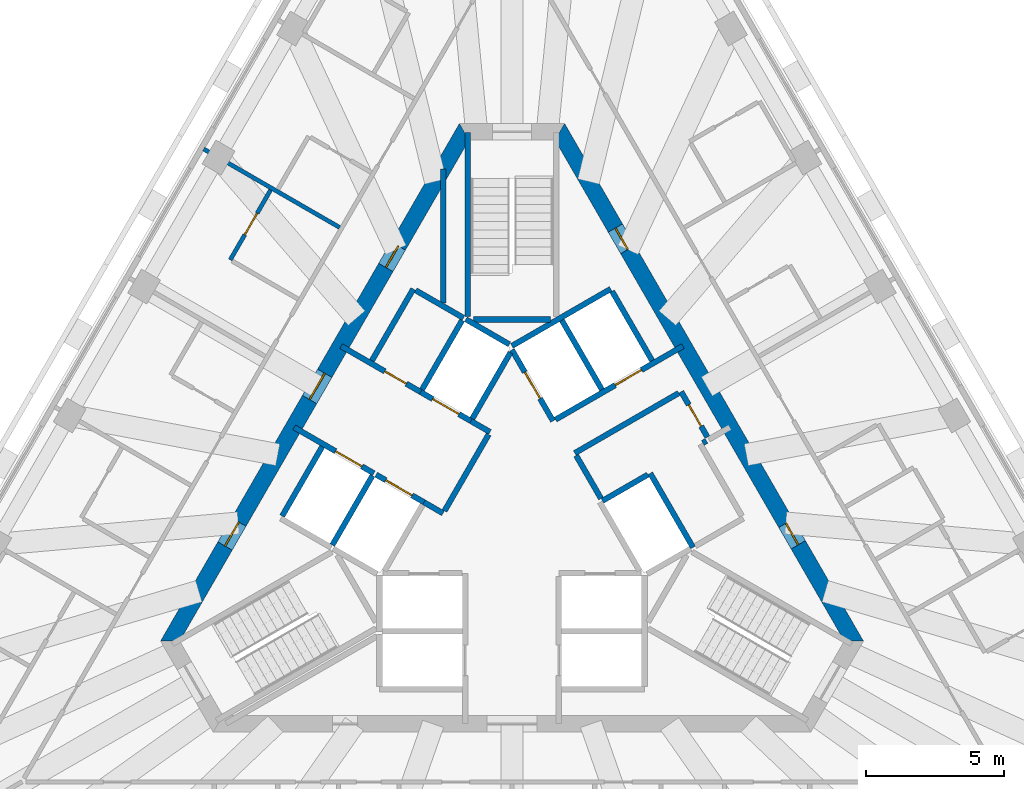
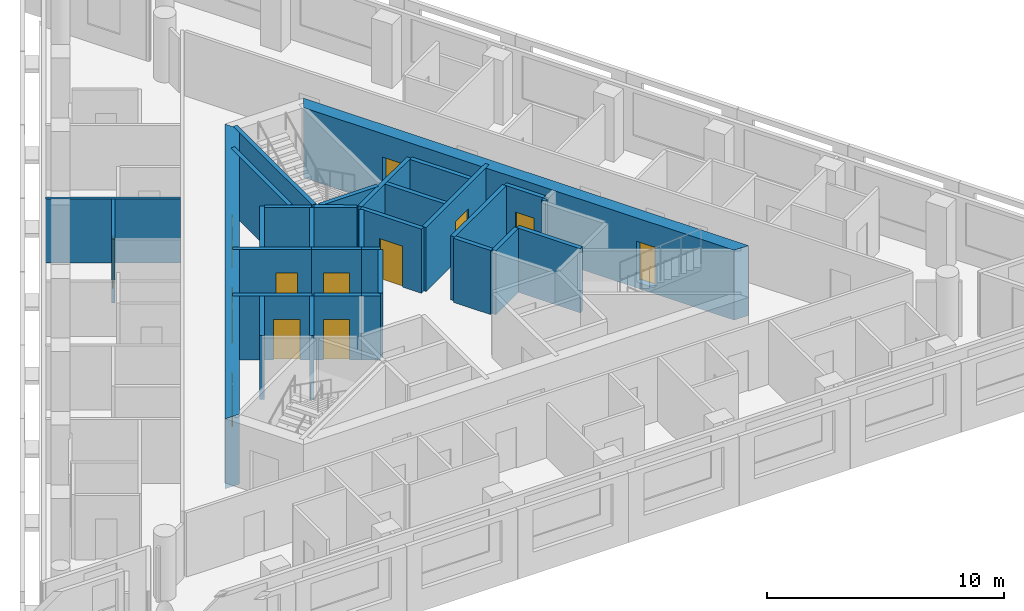
# One storey, part 5 of 10: 32 walls, 13 doors, 13 openings.
"""IFC4 building model written with IfcOpenShell, lengths in metres."""

from ifc_helpers import new_model, si_unit, direction, frame, frame_2d, origin, place, context, subcontext, project, spatial, polyline, rectangle, outline, extrude, material, layer, layer_set, type_object, element, fill, save


model = new_model("IFC4")

# Units and contexts
model_context = context("Model", 3, precision=1e-05, world=origin(), true_north=direction((0.0, 1.0)))
body_context = subcontext(model_context, "Body", "Model", "MODEL_VIEW")
ifc_project = project(units=[si_unit("LENGTHUNIT", "METRE"), si_unit("AREAUNIT", "SQUARE_METRE"), si_unit("VOLUMEUNIT", "CUBIC_METRE"), si_unit("PLANEANGLEUNIT", "RADIAN"), si_unit("MASSUNIT", "GRAM", prefix="KILO")], contexts=[model_context])

# Site, building, storey
site_placement = place(None, origin())
site = spatial("IfcSite", under=ifc_project, at=site_placement, CompositionType="ELEMENT")
building_placement = place(site_placement, origin())
building = spatial("IfcBuilding", under=site, at=building_placement, Name="Triada Interchange Tower", CompositionType="ELEMENT")
storey_placement = place(building_placement, frame((0.0, 0.0, 297.10009765625)))
storey = spatial("IfcBuildingStorey", under=building, at=storey_placement, Name="L70", CompositionType="ELEMENT", Elevation=297.10009765625)

# Walls
ifc_material_1 = material(Name="Concrete C30/37", Category="concrete")
ifc_layer_1 = layer(ifc_material_1, 0.199951171875)
ifc_layer_set_1 = layer_set([ifc_layer_1], Name="CORE WALL 200 EI 120")
wall_type_1 = type_object("IfcWallType", Name="CORE WALL 200 EI 120", PredefinedType="SOLIDWALL", material=ifc_layer_set_1)
wall_1_placement = place(storey_placement, frame((-8.325927734375, -0.6201171875, 0.0), z_axis=(0.0, 0.0, 1.0), x_axis=(0.500023687443, 0.866011727401, 0.0)))
element("IfcWall", 1, at=wall_1_placement, inside=storey, type_object=wall_type_1, Name="Wall L68 67", PredefinedType="SOLIDWALL", context=body_context, shape_type="SweptSolid", body=[
    extrude(rectangle(XDim=2.899658203125, YDim=0.199951171875, at=frame_2d((1.44970703125, 0.0))), origin(), (0.0, 0.0, 1.0), 3.2998046875),
])
wall_2_placement = place(storey_placement, frame((-0.001953125, 5.541015625, 0.0), z_axis=(0.0, 0.0, 1.0), x_axis=(0.86600155993, 0.500041296494, 0.0)))
element("IfcWall", 2, at=wall_2_placement, inside=storey, type_object=wall_type_1, Name="Wall L68 77", PredefinedType="SOLIDWALL", context=body_context, shape_type="SweptSolid", body=[
    extrude(rectangle(XDim=4.131591796875, YDim=0.199951171875, at=frame_2d((2.06591796875, 0.0))), origin(), (0.0, 0.0, 1.0), 3.2998046875),
])

# Wall, opening, door
wall_3_placement = place(storey_placement, frame((0.0, 5.39990234375, 0.0), z_axis=(0.0, 0.0, 1.0), x_axis=(0.500103862429, -0.865965430478, 0.0)))
wall_3 = element("IfcWall", 3, at=wall_3_placement, inside=storey, type_object=wall_type_1, Name="Wall L68 78", PredefinedType="SOLIDWALL", context=body_context, shape_type="SweptSolid", body=[
    extrude(rectangle(XDim=2.973388671875, YDim=0.199951171875, at=frame_2d((1.48681640625, 0.0))), origin(), (0.0, 0.0, 1.0), 3.2998046875),
])
opening_1_placement = place(wall_3_placement, frame((0.93701171875, 0.0, 0.0)))
opening_1 = element("IfcOpeningElement", 4, at=opening_1_placement, cuts=wall_3, Name="Opening LD-HR5", PredefinedType="OPENING", context=body_context, shape_type="SweptSolid", body=[
    extrude(rectangle(XDim=1.10009765625, YDim=2.10009765625, at=frame_2d((0.550048828125, 1.050048828125))), frame((0.0, 0.10986328125, 0.0), z_axis=(0.0, -1.0, 0.0), x_axis=(1.0, 0.0, 0.0)), (0.0, 0.0, 1.0), 0.219970703125),
])
ifc_material_2 = material(Name="Steel S235 door leaf", Category="steel")
door_type_1 = type_object("IfcDoorType", Name="LIFT LANDING DOOR 1100 EI 120", OperationType="SLIDING_TO_LEFT", PredefinedType="DOOR", material=ifc_material_2)
door_1_placement = place(opening_1_placement, origin())
door_1 = element("IfcDoor", 5, at=door_1_placement, inside=storey, type_object=door_type_1, Name="HR5 landing door L70", OperationType="SLIDING_TO_LEFT", OverallHeight=2.10009765625, OverallWidth=1.10009765625, PredefinedType="DOOR", context=body_context, shape_type="SweptSolid", body=[
    extrude(rectangle(XDim=1.10009765625, YDim=2.10009765625, at=frame_2d((0.550048828125, 1.050048828125))), frame((0.0, 0.02490234375, 0.0), z_axis=(0.0, -1.0, 0.0), x_axis=(1.0, 0.0, 0.0)), (0.0, 0.0, 1.0), 0.050048828125),
])
fill(opening_1, door_1)

wall_4_placement = place(storey_placement, frame((1.577880859375, 2.8740234375, 0.0), z_axis=(0.0, 0.0, 1.0), x_axis=(0.866045911672, 0.499964477614, 0.0)))
wall_4 = element("IfcWall", 6, at=wall_4_placement, inside=storey, type_object=wall_type_1, Name="Wall L68 80", PredefinedType="SOLIDWALL", context=body_context, shape_type="SweptSolid", body=[
    extrude(rectangle(XDim=5.32666015625, YDim=0.199951171875, at=frame_2d((2.663330078125, 0.0))), origin(), (0.0, 0.0, 1.0), 3.2998046875),
])
opening_2_placement = place(wall_4_placement, frame((2.49609375, 0.0, 0.0)))
opening_2 = element("IfcOpeningElement", 7, at=opening_2_placement, cuts=wall_4, Name="Opening LD-HR6", PredefinedType="OPENING", context=body_context, shape_type="SweptSolid", body=[
    extrude(rectangle(XDim=1.10009765625, YDim=2.10009765625, at=frame_2d((0.550048828125, 1.050048828125))), frame((0.0, 0.10986328125, 0.0), z_axis=(0.0, -1.0, 0.0), x_axis=(1.0, 0.0, 0.0)), (0.0, 0.0, 1.0), 0.219970703125),
])
door_2_placement = place(opening_2_placement, origin())
door_2 = element("IfcDoor", 8, at=door_2_placement, inside=storey, type_object=door_type_1, Name="HR6 landing door L70", OperationType="SLIDING_TO_LEFT", OverallHeight=2.10009765625, OverallWidth=1.10009765625, PredefinedType="DOOR", context=body_context, shape_type="SweptSolid", body=[
    extrude(rectangle(XDim=1.10009765625, YDim=2.10009765625, at=frame_2d((0.550048828125, 1.050048828125))), frame((0.0, 0.02490234375, 0.0), z_axis=(0.0, -1.0, 0.0), x_axis=(1.0, 0.0, 0.0)), (0.0, 0.0, 1.0), 0.050048828125),
])
fill(opening_2, door_2)

# Walls
for number, where, z_axis, x_axis, name in (
    (9, (3.6259765625, 7.52001953125, 0.0), (0.0, 0.0, 1.0), (0.500060147554, -0.865990674793, 0.0), "Wall L68 83"),
    (10, (1.806884765625, 6.469970703125, 0.0), (0.0, 0.0, 1.0), (0.50012328804, -0.865954211699, 0.0), "Wall L68 84"),
):
    element("IfcWall", number, at=place(storey_placement, frame(where, z_axis=z_axis, x_axis=x_axis)), inside=storey, type_object=wall_type_1, Name=name, PredefinedType="SOLIDWALL", context=body_context, shape_type="SweptSolid", body=[
        extrude(rectangle(XDim=2.899658203125, YDim=0.199951171875, at=frame_2d((1.44970703125, 0.0))), origin(), (0.0, 0.0, 1.0), 3.2998046875),
    ])
wall_5_placement = place(storey_placement, frame((5.007080078125, 0.927978515625, 0.0), z_axis=(0.0, 0.0, 1.0), x_axis=(0.499899694197, -0.866083307622, 0.0)))
element("IfcWall", 11, at=wall_5_placement, inside=storey, type_object=wall_type_1, Name="Wall L68 85", PredefinedType="SOLIDWALL", context=body_context, shape_type="SweptSolid", body=[
    extrude(rectangle(XDim=3.100341796875, YDim=0.199951171875, at=frame_2d((1.55029296875, 0.0))), origin(), (0.0, 0.0, 1.0), 3.2998046875),
])
wall_6_placement = place(storey_placement, frame((3.278076171875, -0.071044921875, 0.0), z_axis=(0.0, 0.0, 1.0), x_axis=(0.865784509405, 0.500417009377, 0.0)))
element("IfcWall", 12, at=wall_6_placement, inside=storey, type_object=wall_type_1, Name="Wall L68 86", PredefinedType="SOLIDWALL", context=body_context, shape_type="SweptSolid", body=[
    extrude(rectangle(XDim=1.896484375, YDim=0.199951171875, at=frame_2d((0.9482421875, 0.0))), origin(), (0.0, 0.0, 1.0), 3.2998046875),
])

# Wall, opening, door
wall_7_placement = place(storey_placement, frame((6.12890625, 3.885009765625, 0.0), z_axis=(0.0, 0.0, 1.0), x_axis=(0.499952260202, -0.866052964615, 0.0)))
wall_7 = element("IfcWall", 13, at=wall_7_placement, inside=storey, type_object=wall_type_1, Name="Wall L68 88", PredefinedType="SOLIDWALL", context=body_context, shape_type="SweptSolid", body=[
    extrude(rectangle(XDim=1.900634765625, YDim=0.199951171875, at=frame_2d((0.9501953125, 0.0))), origin(), (0.0, 0.0, 1.0), 3.2998046875),
])
opening_3_placement = place(wall_7_placement, frame((0.550048828125, 0.0, 0.0)))
opening_3 = element("IfcOpeningElement", 14, at=opening_3_placement, cuts=wall_7, Name="Opening D68-57", PredefinedType="OPENING", context=body_context, shape_type="SweptSolid", body=[
    extrude(rectangle(XDim=0.89990234375, YDim=2.10009765625, at=frame_2d((0.449951171875, 1.050048828125))), frame((0.0, 0.10986328125, 0.0), z_axis=(0.0, -1.0, 0.0), x_axis=(1.0, 0.0, 0.0)), (0.0, 0.0, 1.0), 0.219970703125),
])
door_type_2 = type_object("IfcDoorType", Name="SERVICE DOOR 900 EI2 45-C5S200", OperationType="NOTDEFINED", PredefinedType="DOOR", material=ifc_material_2)
door_3_placement = place(opening_3_placement, origin())
door_3 = element("IfcDoor", 15, at=door_3_placement, inside=storey, type_object=door_type_2, Name="Door D68-57 L70", OperationType="SINGLE_SWING_LEFT", OverallHeight=2.10009765625, OverallWidth=0.89990234375, PredefinedType="DOOR", context=body_context, shape_type="SweptSolid", body=[
    extrude(rectangle(XDim=0.89990234375, YDim=2.10009765625, at=frame_2d((0.449951171875, 1.050048828125))), frame((0.0, 0.02490234375, 0.0), z_axis=(0.0, -1.0, 0.0), x_axis=(1.0, 0.0, 0.0)), (0.0, 0.0, 1.0), 0.050048828125),
])
fill(opening_3, door_3)

# Walls
wall_8_placement = place(storey_placement, frame((2.27490234375, 1.659912109375, 0.0), z_axis=(0.0, 0.0, 1.0), x_axis=(0.866013608182, 0.500020430026, 0.0)))
element("IfcWall", 16, at=wall_8_placement, inside=storey, type_object=wall_type_1, Name="Wall L68 89", PredefinedType="SOLIDWALL", context=body_context, shape_type="SweptSolid", body=[
    extrude(rectangle(XDim=4.349853515625, YDim=0.199951171875, at=frame_2d((2.1748046875, 0.0))), origin(), (0.0, 0.0, 1.0), 3.2998046875),
])
wall_9_placement = place(storey_placement, frame((2.324951171875, 1.572998046875, 0.0), z_axis=(0.0, 0.0, 1.0), x_axis=(0.500004188491, -0.866022985545, 0.0)))
element("IfcWall", 17, at=wall_9_placement, inside=storey, type_object=wall_type_1, Name="Wall L68 90", PredefinedType="SOLIDWALL", context=body_context, shape_type="SweptSolid", body=[
    extrude(rectangle(XDim=1.80029296875, YDim=0.199951171875, at=frame_2d((0.900146484375, 0.0))), origin(), (0.0, 0.0, 1.0), 3.2998046875),
])

# Wall, opening, door
ifc_layer_2 = layer(ifc_material_1, 0.199951171875)
ifc_layer_set_2 = layer_set([ifc_layer_2], Name="CORE WALL 200 EI 180")
wall_type_2 = type_object("IfcWallType", Name="CORE WALL 200 EI 180", PredefinedType="SOLIDWALL", material=ifc_layer_set_2)
wall_10_placement = place(storey_placement, frame((-7.89111328125, 2.593017578125, 0.0), z_axis=(0.0, 0.0, 1.0), x_axis=(0.866070917804, -0.499921159118, 0.0)))
wall_10 = element("IfcWall", 18, at=wall_10_placement, inside=storey, type_object=wall_type_2, Name="Wall L68 92", PredefinedType="SOLIDWALL", context=body_context, shape_type="SweptSolid", body=[
    extrude(rectangle(XDim=3.33251953125, YDim=0.199951171875, at=frame_2d((1.666259765625, 0.0))), origin(), (0.0, 0.0, 1.0), 3.2998046875),
])
opening_4_placement = place(wall_10_placement, frame((1.72998046875, 0.0, 0.0)))
opening_4 = element("IfcOpeningElement", 19, at=opening_4_placement, cuts=wall_10, Name="Opening LD-SV1", PredefinedType="OPENING", context=body_context, shape_type="SweptSolid", body=[
    extrude(rectangle(XDim=1.10009765625, YDim=2.10009765625, at=frame_2d((0.550048828125, 1.050048828125))), frame((0.0, 0.10986328125, 0.0), z_axis=(0.0, -1.0, 0.0), x_axis=(1.0, 0.0, 0.0)), (0.0, 0.0, 1.0), 0.219970703125),
])
door_4_placement = place(opening_4_placement, origin())
door_4 = element("IfcDoor", 20, at=door_4_placement, inside=storey, type_object=door_type_1, Name="SV1 landing door L70", OperationType="SLIDING_TO_LEFT", OverallHeight=2.10009765625, OverallWidth=1.10009765625, PredefinedType="DOOR", context=body_context, shape_type="SweptSolid", body=[
    extrude(rectangle(XDim=1.10009765625, YDim=2.10009765625, at=frame_2d((0.550048828125, 1.050048828125))), frame((0.0, 0.02490234375, 0.0), z_axis=(0.0, -1.0, 0.0), x_axis=(1.0, 0.0, 0.0)), (0.0, 0.0, 1.0), 0.050048828125),
])
fill(opening_4, door_4)

# Wall
wall_11_placement = place(storey_placement, frame((-3.18798828125, -0.1220703125, 0.0), z_axis=(0.0, 0.0, 1.0), x_axis=(0.865705793592, -0.50055317294, 0.0)))
element("IfcWall", 21, at=wall_11_placement, inside=storey, type_object=wall_type_2, Name="Wall L68 93", PredefinedType="SOLIDWALL", context=body_context, shape_type="SweptSolid", body=[
    extrude(rectangle(XDim=0.796875, YDim=0.199951171875, at=frame_2d((0.3984375, 0.0))), origin(), (0.0, 0.0, 1.0), 3.2998046875),
])

# Wall, opening, door
wall_12_placement = place(storey_placement, frame((-6.19091796875, 5.537109375, 0.0), z_axis=(0.0, 0.0, 1.0), x_axis=(0.866052607023, -0.499952879648, 0.0)))
wall_12 = element("IfcWall", 22, at=wall_12_placement, inside=storey, type_object=wall_type_2, Name="Wall L68 94", PredefinedType="SOLIDWALL", context=body_context, shape_type="SweptSolid", body=[
    extrude(rectangle(XDim=3.332275390625, YDim=0.199951171875, at=frame_2d((1.666015625, 0.0))), origin(), (0.0, 0.0, 1.0), 3.2998046875),
])
opening_5_placement = place(wall_12_placement, frame((1.830078125, 0.0, 0.0)))
opening_5 = element("IfcOpeningElement", 23, at=opening_5_placement, cuts=wall_12, Name="Opening D68-10", PredefinedType="OPENING", context=body_context, shape_type="SweptSolid", body=[
    extrude(rectangle(XDim=0.89990234375, YDim=2.10009765625, at=frame_2d((0.449951171875, 1.050048828125))), frame((0.0, 0.10986328125, 0.0), z_axis=(0.0, -1.0, 0.0), x_axis=(1.0, 0.0, 0.0)), (0.0, 0.0, 1.0), 0.219970703125),
])
door_type_3 = type_object("IfcDoorType", Name="SERVICE DOOR 900 EI2 90-C5S200", OperationType="NOTDEFINED", PredefinedType="DOOR", material=ifc_material_2)
door_5_placement = place(opening_5_placement, origin())
door_5 = element("IfcDoor", 24, at=door_5_placement, inside=storey, type_object=door_type_3, Name="Door D68-10 L70", OperationType="SINGLE_SWING_LEFT", OverallHeight=2.10009765625, OverallWidth=0.89990234375, PredefinedType="DOOR", context=body_context, shape_type="SweptSolid", body=[
    extrude(rectangle(XDim=0.89990234375, YDim=2.10009765625, at=frame_2d((0.449951171875, 1.050048828125))), frame((0.0, 0.02490234375, 0.0), z_axis=(0.0, -1.0, 0.0), x_axis=(1.0, 0.0, 0.0)), (0.0, 0.0, 1.0), 0.050048828125),
])
fill(opening_5, door_5)

# Walls
wall_13_placement = place(storey_placement, frame((-1.488037109375, 2.822021484375, 0.0), z_axis=(0.0, 0.0, 1.0), x_axis=(0.866236612152, -0.499633997809, 0.0)))
element("IfcWall", 25, at=wall_13_placement, inside=storey, type_object=wall_type_2, Name="Wall L68 95", PredefinedType="SOLIDWALL", context=body_context, shape_type="SweptSolid", body=[
    extrude(rectangle(XDim=0.79638671875, YDim=0.199951171875, at=frame_2d((0.398193359375, 0.0))), origin(), (0.0, 0.0, 1.0), 3.2998046875),
])
wall_14_placement = place(storey_placement, frame((-5.075927734375, 5.009033203125, 0.0), z_axis=(0.0, 0.0, 1.0), x_axis=(0.50002537861, 0.866010750942, 0.0)))
element("IfcWall", 26, at=wall_14_placement, inside=storey, type_object=wall_type_2, Name="Wall L68 96", PredefinedType="SOLIDWALL", context=body_context, shape_type="SweptSolid", body=[
    extrude(rectangle(XDim=2.999755859375, YDim=0.199951171875, at=frame_2d((1.5, 0.0))), origin(), (0.0, 0.0, 1.0), 3.2998046875),
])
wall_15_placement = place(storey_placement, frame((-3.489013671875, 7.556884765625, 0.0), z_axis=(0.0, 0.0, 1.0), x_axis=(0.866010750942, -0.50002537861, 0.0)))
element("IfcWall", 27, at=wall_15_placement, inside=storey, type_object=wall_type_2, Name="Wall L68 97", PredefinedType="SOLIDWALL", context=body_context, shape_type="SweptSolid", body=[
    extrude(rectangle(XDim=2.0, YDim=0.199951171875, at=frame_2d((1.0, 0.0))), origin(), (0.0, 0.0, 1.0), 3.2998046875),
])
wall_16_placement = place(storey_placement, frame((-2.444091796875, -0.43310546875, 0.0), z_axis=(0.0, 0.0, 1.0), x_axis=(0.500035624827, 0.866004834804, 0.0)))
element("IfcWall", 28, at=wall_16_placement, inside=storey, type_object=wall_type_2, Name="Wall L68 98", PredefinedType="SOLIDWALL", context=body_context, shape_type="SweptSolid", body=[
    extrude(rectangle(XDim=3.194091796875, YDim=0.199951171875, at=frame_2d((1.59716796875, 0.0))), origin(), (0.0, 0.0, 1.0), 3.2998046875),
])
wall_17_placement = place(storey_placement, frame((-6.507080078125, -1.669921875, 0.0), z_axis=(0.0, 0.0, 1.0), x_axis=(0.50012328804, 0.865954211699, 0.0)))
element("IfcWall", 29, at=wall_17_placement, inside=storey, type_object=wall_type_2, Name="Shaft wall FF1 L68 99", PredefinedType="SOLIDWALL", context=body_context, shape_type="SweptSolid", body=[
    extrude(rectangle(XDim=2.899658203125, YDim=0.199951171875, at=frame_2d((1.44970703125, 0.0))), origin(), (0.0, 0.0, 1.0), 3.2998046875),
])

# Wall, opening, door
wall_18_placement = place(storey_placement, frame((-4.922119140625, 0.87890625, 0.0), z_axis=(0.0, 0.0, 1.0), x_axis=(0.866073918653, -0.499915960366, 0.0)))
wall_18 = element("IfcWall", 30, at=wall_18_placement, inside=storey, type_object=wall_type_2, Name="Shaft wall FF1 L68 101", PredefinedType="SOLIDWALL", context=body_context, shape_type="SweptSolid", body=[
    extrude(rectangle(XDim=2.002197265625, YDim=0.199951171875, at=frame_2d((1.0009765625, 0.0))), origin(), (0.0, 0.0, 1.0), 3.2998046875),
])
opening_6_placement = place(wall_18_placement, frame((0.402099609375, 0.0, 0.0)))
opening_6 = element("IfcOpeningElement", 31, at=opening_6_placement, cuts=wall_18, Name="Opening LD-FF1", PredefinedType="OPENING", context=body_context, shape_type="SweptSolid", body=[
    extrude(rectangle(XDim=1.10009765625, YDim=2.10009765625, at=frame_2d((0.550048828125, 1.050048828125))), frame((0.0, 0.10986328125, 0.0), z_axis=(0.0, -1.0, 0.0), x_axis=(1.0, 0.0, 0.0)), (0.0, 0.0, 1.0), 0.219970703125),
])
door_6_placement = place(opening_6_placement, origin())
door_6 = element("IfcDoor", 32, at=door_6_placement, inside=storey, type_object=door_type_1, Name="FF1 landing door L70", OperationType="SLIDING_TO_LEFT", OverallHeight=2.10009765625, OverallWidth=1.10009765625, PredefinedType="DOOR", context=body_context, shape_type="SweptSolid", body=[
    extrude(rectangle(XDim=1.10009765625, YDim=2.10009765625, at=frame_2d((0.550048828125, 1.050048828125))), frame((0.0, 0.02490234375, 0.0), z_axis=(0.0, -1.0, 0.0), x_axis=(1.0, 0.0, 0.0)), (0.0, 0.0, 1.0), 0.050048828125),
])
fill(opening_6, door_6)

wall_19_placement = place(storey_placement, frame((-3.30908203125, 3.873046875, 0.0), z_axis=(0.0, 0.0, 1.0), x_axis=(0.866098583652, -0.499873227325, 0.0)))
wall_19 = element("IfcWall", 33, at=wall_19_placement, inside=storey, type_object=wall_type_2, Name="Shaft wall FF2 L68 103", PredefinedType="SOLIDWALL", context=body_context, shape_type="SweptSolid", body=[
    extrude(rectangle(XDim=2.1025390625, YDim=0.199951171875, at=frame_2d((1.05126953125, 0.0))), origin(), (0.0, 0.0, 1.0), 3.2998046875),
])
opening_7_placement = place(wall_19_placement, frame((0.501953125, 0.0, 0.0)))
opening_7 = element("IfcOpeningElement", 34, at=opening_7_placement, cuts=wall_19, Name="Opening LD-FF2", PredefinedType="OPENING", context=body_context, shape_type="SweptSolid", body=[
    extrude(rectangle(XDim=1.10009765625, YDim=2.10009765625, at=frame_2d((0.550048828125, 1.050048828125))), frame((0.0, 0.10986328125, 0.0), z_axis=(0.0, -1.0, 0.0), x_axis=(1.0, 0.0, 0.0)), (0.0, 0.0, 1.0), 0.219970703125),
])
door_7_placement = place(opening_7_placement, origin())
door_7 = element("IfcDoor", 35, at=door_7_placement, inside=storey, type_object=door_type_1, Name="FF2 landing door L70", OperationType="SLIDING_TO_LEFT", OverallHeight=2.10009765625, OverallWidth=1.10009765625, PredefinedType="DOOR", context=body_context, shape_type="SweptSolid", body=[
    extrude(rectangle(XDim=1.10009765625, YDim=2.10009765625, at=frame_2d((0.550048828125, 1.050048828125))), frame((0.0, 0.02490234375, 0.0), z_axis=(0.0, -1.0, 0.0), x_axis=(1.0, 0.0, 0.0)), (0.0, 0.0, 1.0), 0.050048828125),
])
fill(opening_7, door_7)

# Walls
wall_20_placement = place(storey_placement, frame((-3.257080078125, 3.958984375, 0.0), z_axis=(0.0, 0.0, 1.0), x_axis=(0.50012328804, 0.865954211699, 0.0)))
element("IfcWall", 36, at=wall_20_placement, inside=storey, type_object=wall_type_2, Name="Shaft wall FF2 L68 104", PredefinedType="SOLIDWALL", context=body_context, shape_type="SweptSolid", body=[
    extrude(rectangle(XDim=2.899658203125, YDim=0.199951171875, at=frame_2d((1.44970703125, 0.0))), origin(), (0.0, 0.0, 1.0), 3.2998046875),
])
wall_21_placement = place(storey_placement, frame((-1.669921875, 6.507080078125, 0.0), z_axis=(0.0, 0.0, 1.0), x_axis=(0.865941441609, -0.500145398563, 0.0)))
element("IfcWall", 37, at=wall_21_placement, inside=storey, type_object=wall_type_2, Name="Shaft wall FF2 L68 105", PredefinedType="SOLIDWALL", context=body_context, shape_type="SweptSolid", body=[
    extrude(rectangle(XDim=1.8154296875, YDim=0.199951171875, at=frame_2d((0.90771484375, 0.0))), origin(), (0.0, 0.0, 1.0), 3.2998046875),
])
wall_22_placement = place(storey_placement, frame((-1.43798828125, 2.908935546875, 0.0), z_axis=(0.0, 0.0, 1.0), x_axis=(0.499829630636, 0.866123744241, 0.0)))
element("IfcWall", 38, at=wall_22_placement, inside=storey, type_object=wall_type_2, Name="Shaft wall FF2 L68 106", PredefinedType="SOLIDWALL", context=body_context, shape_type="SweptSolid", body=[
    extrude(rectangle(XDim=2.7607421875, YDim=0.199951171875, at=frame_2d((1.38037109375, 0.0))), origin(), (0.0, 0.0, 1.0), 3.2998046875),
])
ifc_layer_3 = layer(ifc_material_1, 0.199951171875)
ifc_layer_set_3 = layer_set([ifc_layer_3], Name="CORE WALL 200 EI 90")
wall_type_3 = type_object("IfcWallType", Name="CORE WALL 200 EI 90", PredefinedType="SOLIDWALL", material=ifc_layer_set_3)
wall_23_placement = place(storey_placement, frame((-2.48291015625, 7.092041015625, 0.0), z_axis=(0.0, 0.0, 1.0), x_axis=(0.0, 1.0, 0.0)))
element("IfcWall", 39, at=wall_23_placement, inside=storey, type_object=wall_type_3, Name="Wall L68 108", PredefinedType="SOLIDWALL", context=body_context, shape_type="SweptSolid", body=[
    extrude(rectangle(XDim=4.866943359375, YDim=0.199951171875, at=frame_2d((2.43359375, 0.0))), origin(), (0.0, 0.0, 1.0), 3.2998046875),
])
wall_24_placement = place(storey_placement, frame((6.912109375, 2.028076171875, 0.0), z_axis=(0.0, 0.0, 1.0), x_axis=(0.866559367082, 0.499074005857, 0.0)))
element("IfcWall", 40, at=wall_24_placement, inside=storey, type_object=wall_type_3, Name="Wall L68 111", PredefinedType="SOLIDWALL", context=body_context, shape_type="SweptSolid", body=[
    extrude(rectangle(XDim=0.152099609375, YDim=0.199951171875, at=frame_2d((0.076171875, 0.0))), origin(), (0.0, 0.0, 1.0), 3.2998046875),
])
ifc_layer_4 = layer(ifc_material_1, 0.199951171875)
ifc_layer_set_4 = layer_set([ifc_layer_4], Name="CORE WALL 200 REI 240")
wall_type_4 = type_object("IfcWallType", Name="CORE WALL 200 REI 240", PredefinedType="SOLIDWALL", material=ifc_layer_set_4)
wall_25_placement = place(storey_placement, frame((-1.39990234375, 6.5, 0.0), z_axis=(0.0, 0.0, 1.0), x_axis=(1.0, 0.0, 0.0)))
element("IfcWall", 41, at=wall_25_placement, inside=storey, type_object=wall_type_4, Name="Wall L68 116", PredefinedType="SOLIDWALL", context=body_context, shape_type="SweptSolid", body=[
    extrude(rectangle(XDim=2.7998046875, YDim=0.199951171875, at=frame_2d((1.39990234375, 0.0))), origin(), (0.0, 0.0, 1.0), 3.2998046875),
])
wall_26_placement = place(storey_placement, frame((-1.60009765625, 6.614990234375, 0.0), z_axis=(0.0, 0.0, 1.0), x_axis=(0.0, 1.0, 0.0)))
element("IfcWall", 42, at=wall_26_placement, inside=storey, type_object=wall_type_4, Name="Wall L68 117", PredefinedType="SOLIDWALL", context=body_context, shape_type="SweptSolid", body=[
    extrude(rectangle(XDim=6.6650390625, YDim=0.199951171875, at=frame_2d((3.33251953125, 0.0))), origin(), (0.0, 0.0, 1.0), 3.2998046875),
])

# Wall, openings, doors
ifc_material_3 = material(Name="Concrete C40/50", Category="concrete")
ifc_layer_5 = layer(ifc_material_3, 0.60009765625)
ifc_layer_set_5 = layer_set([ifc_layer_5], Name="Core wall D 600")
wall_type_5 = type_object("IfcWallType", Name="Core wall D 600", PredefinedType="SHEAR", material=ifc_layer_set_5)
wall_27_placement = place(storey_placement, frame((-1.73193359375, 13.300048828125, -0.300048828125), z_axis=(0.0, 0.0, 1.0), x_axis=(-0.500000539815, -0.866025092122, 0.0)))
wall_27 = element("IfcWall", 43, at=wall_27_placement, inside=storey, type_object=wall_type_5, Name="Core wall WD02 L70", PredefinedType="SHEAR", context=body_context, shape_type="SweptSolid", body=[
    extrude(outline(polyline([(-0.173095703125, -0.300048828125), (1.795166015625, -0.300048828125), (3.763427734375, -0.30029296875), (5.731689453125, -0.30029296875), (7.699951171875, -0.30029296875), (9.668212890625, -0.300537109375), (11.63671875, -0.300537109375), (13.60498046875, -0.30078125), (15.5732421875, -0.30078125), (17.54150390625, -0.30078125), (19.509765625, -0.301025390625), (21.47802734375, -0.301025390625), (21.131103515625, 0.300048828125), (19.225830078125, 0.300048828125), (17.320556640625, 0.300048828125), (15.415283203125, 0.300048828125), (13.510009765625, 0.300048828125), (11.604736328125, 0.300048828125), (9.699462890625, 0.300048828125), (7.794189453125, 0.300048828125), (5.888916015625, 0.300048828125), (3.983642578125, 0.300048828125), (2.078369140625, 0.300048828125), (0.173095703125, 0.300048828125), (-0.173095703125, -0.300048828125)])), origin(), (0.0, 0.0, 1.0), 3.599853515625),
])
opening_8_placement = place(wall_27_placement, frame((10.10205078125, 0.0, 0.300048828125)))
opening_8 = element("IfcOpeningElement", 44, at=opening_8_placement, cuts=wall_27, Name="Opening D68-51", PredefinedType="OPENING", context=body_context, shape_type="SweptSolid", body=[
    extrude(rectangle(XDim=1.10009765625, YDim=2.10009765625, at=frame_2d((0.550048828125, 1.050048828125))), frame((0.0, 0.31005859375, 0.0), z_axis=(0.0, -1.0, 0.0), x_axis=(1.0, 0.0, 0.0)), (0.0, 0.0, 1.0), 0.62109375),
])
opening_9_placement = place(wall_27_placement, frame((16.327880859375, 0.0, 0.300048828125)))
opening_9 = element("IfcOpeningElement", 45, at=opening_9_placement, cuts=wall_27, Name="Opening D68-52", PredefinedType="OPENING", context=body_context, shape_type="SweptSolid", body=[
    extrude(rectangle(XDim=1.0, YDim=2.10009765625, at=frame_2d((0.5, 1.050048828125))), frame((0.0, 0.31005859375, 0.0), z_axis=(0.0, -1.0, 0.0), x_axis=(1.0, 0.0, 0.0)), (0.0, 0.0, 1.0), 0.62109375),
])
opening_10_placement = place(wall_27_placement, frame((4.777099609375, 0.0, 0.300048828125)))
opening_10 = element("IfcOpeningElement", 46, at=opening_10_placement, cuts=wall_27, Name="Opening D68-54", PredefinedType="OPENING", context=body_context, shape_type="SweptSolid", body=[
    extrude(rectangle(XDim=0.89990234375, YDim=2.10009765625, at=frame_2d((0.449951171875, 1.050048828125))), frame((0.0, 0.31005859375, 0.0), z_axis=(0.0, -1.0, 0.0), x_axis=(1.0, 0.0, 0.0)), (0.0, 0.0, 1.0), 0.62109375),
])
door_type_4 = type_object("IfcDoorType", Name="FIRE LOBBY DOOR 1100 EI2 90-C5S200", OperationType="NOTDEFINED", PredefinedType="DOOR", material=ifc_material_2)
door_8_placement = place(opening_8_placement, origin())
door_8 = element("IfcDoor", 47, at=door_8_placement, inside=storey, type_object=door_type_4, Name="Door D68-51 L70", OperationType="SINGLE_SWING_RIGHT", OverallHeight=2.10009765625, OverallWidth=1.10009765625, PredefinedType="DOOR", context=body_context, shape_type="SweptSolid", body=[
    extrude(rectangle(XDim=1.10009765625, YDim=2.10009765625, at=frame_2d((0.550048828125, 1.050048828125))), frame((0.0, 0.02490234375, 0.0), z_axis=(0.0, -1.0, 0.0), x_axis=(1.0, 0.0, 0.0)), (0.0, 0.0, 1.0), 0.050048828125),
])
fill(opening_8, door_8)
door_type_5 = type_object("IfcDoorType", Name="SERVICE DOOR 1000 EI2 45-C5S200", OperationType="NOTDEFINED", PredefinedType="DOOR", material=ifc_material_2)
door_9_placement = place(opening_9_placement, origin())
door_9 = element("IfcDoor", 48, at=door_9_placement, inside=storey, type_object=door_type_5, Name="Door D68-52 L70", OperationType="SINGLE_SWING_RIGHT", OverallHeight=2.10009765625, OverallWidth=1.0, PredefinedType="DOOR", context=body_context, shape_type="SweptSolid", body=[
    extrude(rectangle(XDim=1.0, YDim=2.10009765625, at=frame_2d((0.5, 1.050048828125))), frame((0.0, 0.02490234375, 0.0), z_axis=(0.0, -1.0, 0.0), x_axis=(1.0, 0.0, 0.0)), (0.0, 0.0, 1.0), 0.050048828125),
])
fill(opening_9, door_9)
door_10_placement = place(opening_10_placement, origin())
door_10 = element("IfcDoor", 49, at=door_10_placement, inside=storey, type_object=door_type_2, Name="Door D68-54 L70", OperationType="SINGLE_SWING_RIGHT", OverallHeight=2.10009765625, OverallWidth=0.89990234375, PredefinedType="DOOR", context=body_context, shape_type="SweptSolid", body=[
    extrude(rectangle(XDim=0.89990234375, YDim=2.10009765625, at=frame_2d((0.449951171875, 1.050048828125))), frame((0.0, 0.02490234375, 0.0), z_axis=(0.0, -1.0, 0.0), x_axis=(1.0, 0.0, 0.0)), (0.0, 0.0, 1.0), 0.050048828125),
])
fill(opening_10, door_10)

wall_28_placement = place(storey_placement, frame((12.384033203125, -5.14990234375, -0.300048828125), z_axis=(0.0, 0.0, 1.0), x_axis=(-0.500000539815, 0.866025092122, 0.0)))
wall_28 = element("IfcWall", 50, at=wall_28_placement, inside=storey, type_object=wall_type_5, Name="Core wall WD06 L70", PredefinedType="SHEAR", context=body_context, shape_type="SweptSolid", body=[
    extrude(outline(polyline([(-0.173095703125, -0.301025390625), (1.795166015625, -0.301025390625), (3.76318359375, -0.30078125), (5.7314453125, -0.30078125), (7.69970703125, -0.30078125), (9.66796875, -0.300537109375), (11.635986328125, -0.300537109375), (13.604248046875, -0.30029296875), (15.572509765625, -0.30029296875), (17.540771484375, -0.30029296875), (19.5087890625, -0.300048828125), (21.47705078125, -0.300048828125), (21.131103515625, 0.300048828125), (19.225830078125, 0.300048828125), (17.320556640625, 0.300048828125), (15.415283203125, 0.300048828125), (13.510009765625, 0.300048828125), (11.604736328125, 0.300048828125), (9.699462890625, 0.300048828125), (7.794189453125, 0.300048828125), (5.888916015625, 0.300048828125), (3.983642578125, 0.300048828125), (2.078369140625, 0.300048828125), (0.173095703125, 0.300048828125), (-0.173095703125, -0.301025390625)])), origin(), (0.0, 0.0, 1.0), 3.599853515625),
])
opening_11_placement = place(wall_28_placement, frame((16.3779296875, 0.0, 0.300048828125)))
opening_11 = element("IfcOpeningElement", 51, at=opening_11_placement, cuts=wall_28, Name="Opening D68-55", PredefinedType="OPENING", context=body_context, shape_type="SweptSolid", body=[
    extrude(rectangle(XDim=0.89990234375, YDim=2.10009765625, at=frame_2d((0.449951171875, 1.050048828125))), frame((0.0, 0.31005859375, 0.0), z_axis=(0.0, -1.0, 0.0), x_axis=(1.0, 0.0, 0.0)), (0.0, 0.0, 1.0), 0.62109375),
])
opening_12_placement = place(wall_28_placement, frame((4.02587890625, 0.0, 0.300048828125)))
opening_12 = element("IfcOpeningElement", 52, at=opening_12_placement, cuts=wall_28, Name="Opening D68-56", PredefinedType="OPENING", context=body_context, shape_type="SweptSolid", body=[
    extrude(rectangle(XDim=0.89990234375, YDim=2.10009765625, at=frame_2d((0.449951171875, 1.050048828125))), frame((0.0, 0.31005859375, 0.0), z_axis=(0.0, -1.0, 0.0), x_axis=(1.0, 0.0, 0.0)), (0.0, 0.0, 1.0), 0.62109375),
])
door_type_6 = type_object("IfcDoorType", Name="RISER ACCESS DOOR 900 EI2 45-C5S200", OperationType="NOTDEFINED", PredefinedType="DOOR", material=ifc_material_2)
door_11_placement = place(opening_11_placement, origin())
door_11 = element("IfcDoor", 53, at=door_11_placement, inside=storey, type_object=door_type_6, Name="Door D68-55 L70", OperationType="SINGLE_SWING_RIGHT", OverallHeight=2.10009765625, OverallWidth=0.89990234375, PredefinedType="DOOR", context=body_context, shape_type="SweptSolid", body=[
    extrude(rectangle(XDim=0.89990234375, YDim=2.10009765625, at=frame_2d((0.449951171875, 1.050048828125))), frame((0.0, 0.02490234375, 0.0), z_axis=(0.0, -1.0, 0.0), x_axis=(1.0, 0.0, 0.0)), (0.0, 0.0, 1.0), 0.050048828125),
])
fill(opening_11, door_11)
door_12_placement = place(opening_12_placement, origin())
door_12 = element("IfcDoor", 54, at=door_12_placement, inside=storey, type_object=door_type_2, Name="Door D68-56 L70", OperationType="SINGLE_SWING_RIGHT", OverallHeight=2.10009765625, OverallWidth=0.89990234375, PredefinedType="DOOR", context=body_context, shape_type="SweptSolid", body=[
    extrude(rectangle(XDim=0.89990234375, YDim=2.10009765625, at=frame_2d((0.449951171875, 1.050048828125))), frame((0.0, 0.02490234375, 0.0), z_axis=(0.0, -1.0, 0.0), x_axis=(1.0, 0.0, 0.0)), (0.0, 0.0, 1.0), 0.050048828125),
])
fill(opening_12, door_12)

# Wall
ifc_material_4 = material(Name="Gypsum board partition")
ifc_layer_6 = layer(ifc_material_4, 0.14990234375)
ifc_layer_set_6 = layer_set([ifc_layer_6], Name="PARTITION 150 EI 180")
wall_type_6 = type_object("IfcWallType", Name="PARTITION 150 EI 180", PredefinedType="PARTITIONING", material=ifc_layer_set_6)
wall_29_placement = place(storey_placement, frame((-11.16796875, 12.677001953125, 0.0), z_axis=(0.0, 0.0, 1.0), x_axis=(0.866017549727, -0.50001360338, 0.0)))
element("IfcWall", 55, at=wall_29_placement, inside=storey, type_object=wall_type_6, Name="Wall L68 9", PredefinedType="PARTITIONING", context=body_context, shape_type="SweptSolid", body=[
    extrude(rectangle(XDim=5.685791015625, YDim=0.14990234375, at=frame_2d((2.8427734375, 0.0))), origin(), (0.0, 0.0, 1.0), 3.2998046875),
])

# Wall, opening, door
ifc_layer_7 = layer(ifc_material_4, 0.14990234375)
ifc_layer_set_7 = layer_set([ifc_layer_7], Name="PARTITION 150 EI 90")
wall_type_7 = type_object("IfcWallType", Name="PARTITION 150 EI 90", PredefinedType="PARTITIONING", material=ifc_layer_set_7)
wall_30_placement = place(storey_placement, frame((-10.2080078125, 8.658935546875, 0.0), z_axis=(0.0, 0.0, 1.0), x_axis=(0.499874209568, 0.866098016745, 0.0)))
wall_30 = element("IfcWall", 56, at=wall_30_placement, inside=storey, type_object=wall_type_7, Name="Wall L68 36", PredefinedType="PARTITIONING", context=body_context, shape_type="SweptSolid", body=[
    extrude(rectangle(XDim=2.924560546875, YDim=0.14990234375, at=frame_2d((1.46240234375, 0.0))), origin(), (0.0, 0.0, 1.0), 3.2998046875),
])
opening_13_placement = place(wall_30_placement, frame((1.050048828125, 0.0, 0.0)))
opening_13 = element("IfcOpeningElement", 57, at=opening_13_placement, cuts=wall_30, Name="Opening D68-39", PredefinedType="OPENING", context=body_context, shape_type="SweptSolid", body=[
    extrude(rectangle(XDim=0.89990234375, YDim=2.10009765625, at=frame_2d((0.449951171875, 1.050048828125))), frame((0.0, 0.0849609375, 0.0), z_axis=(0.0, -1.0, 0.0), x_axis=(1.0, 0.0, 0.0)), (0.0, 0.0, 1.0), 0.169921875),
])
door_type_7 = type_object("IfcDoorType", Name="ROOM DOOR 900 EI2 45-C5S200", OperationType="NOTDEFINED", PredefinedType="DOOR", material=ifc_material_2)
door_13_placement = place(opening_13_placement, origin())
door_13 = element("IfcDoor", 58, at=door_13_placement, inside=storey, type_object=door_type_7, Name="Door D68-39 L70", OperationType="SINGLE_SWING_LEFT", OverallHeight=2.10009765625, OverallWidth=0.89990234375, PredefinedType="DOOR", context=body_context, shape_type="SweptSolid", body=[
    extrude(rectangle(XDim=0.89990234375, YDim=2.10009765625, at=frame_2d((0.449951171875, 1.050048828125))), frame((0.0, 0.02490234375, 0.0), z_axis=(0.0, -1.0, 0.0), x_axis=(1.0, 0.0, 0.0)), (0.0, 0.0, 1.0), 0.050048828125),
])
fill(opening_13, door_13)

save(model, "model.ifc")
